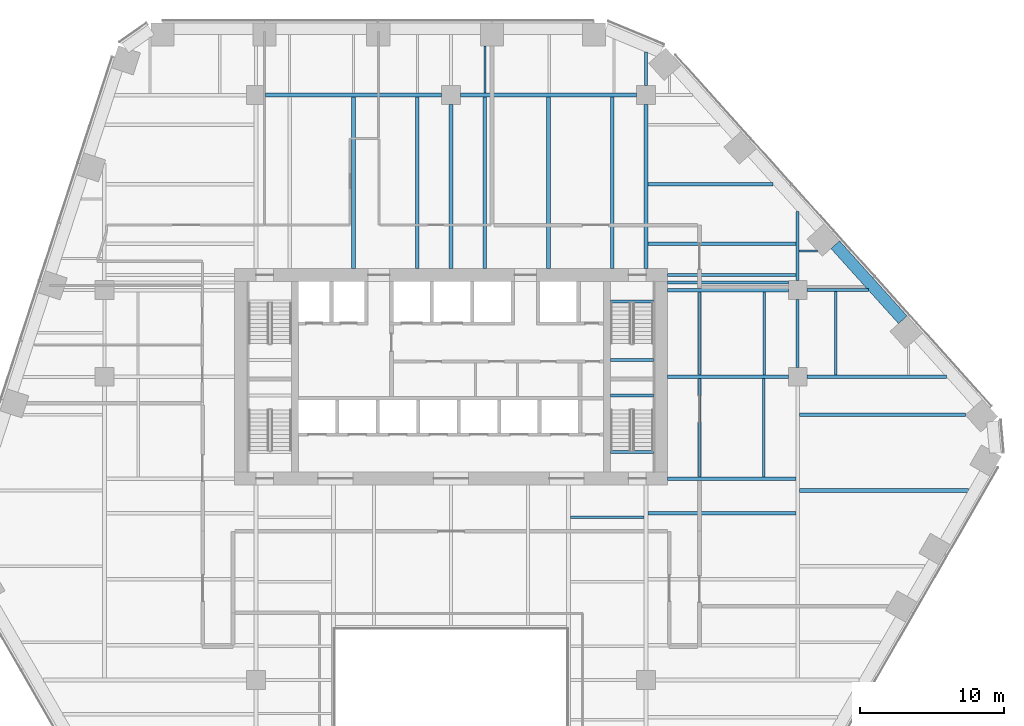
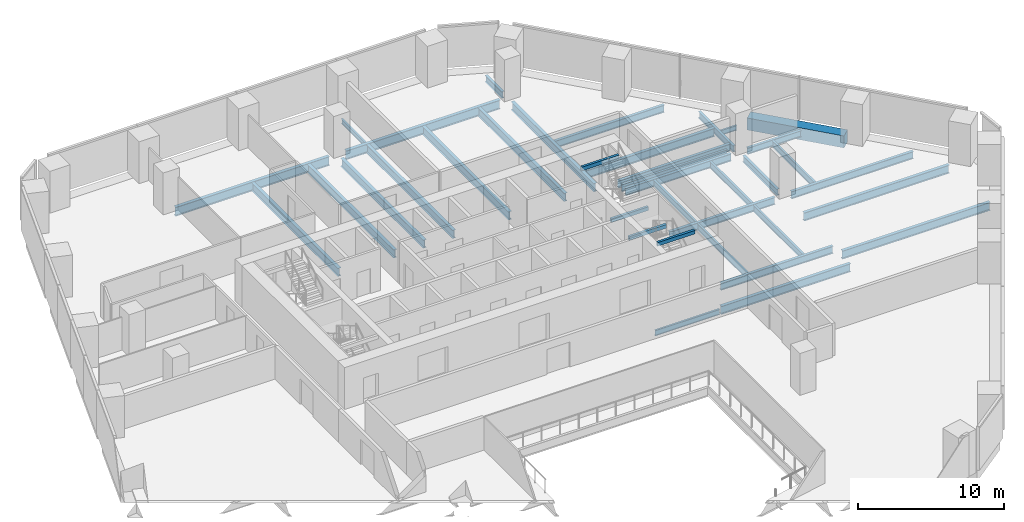
# One storey, part 9 of 19: 37 beams.
"""IFC4 building model written with IfcOpenShell, lengths in metres."""

from ifc_helpers import new_model, si_unit, direction, frame, origin, origin_2d, place, context, subcontext, project, spatial, rectangle, i_section, extrude, material, material_profile, profile_set, type_object, element, save


model = new_model("IFC4")

# Units and contexts
model_context = context("Model", 3, precision=1e-05, world=origin(), true_north=direction((0.0, 1.0)))
body_context = subcontext(model_context, "Body", "Model", "MODEL_VIEW")
ifc_project = project(units=[si_unit("LENGTHUNIT", "METRE"), si_unit("AREAUNIT", "SQUARE_METRE"), si_unit("VOLUMEUNIT", "CUBIC_METRE"), si_unit("PLANEANGLEUNIT", "RADIAN"), si_unit("MASSUNIT", "GRAM", prefix="KILO")], contexts=[model_context])

# Site, building, storey
site_placement = place(None, origin())
site = spatial("IfcSite", under=ifc_project, at=site_placement, CompositionType="ELEMENT")
building_placement = place(site_placement, origin())
building = spatial("IfcBuilding", under=site, at=building_placement, Name="Isthmus Gate Tower", CompositionType="ELEMENT")
storey_placement = place(building_placement, frame((0.0, 0.0, 91.60009765625)))
storey = spatial("IfcBuildingStorey", under=building, at=storey_placement, Name="L21", CompositionType="ELEMENT", Elevation=91.60009765625)

# Beams
ifc_material_1 = material(Name="Concrete f'c 70 MPa", Category="concrete")
ifc_material_profile_1 = material_profile(ifc_material_1, rectangle(XDim=0.800048828125, YDim=1.0, at=origin_2d()), Name="RC 800X1000")
ifc_profile_set_1 = profile_set([ifc_material_profile_1], Name="Concrete f'c 70 MPa")
beam_type_1 = type_object("IfcBeamType", Name="RC SPANDREL 800 X 1000", PredefinedType="SPANDREL", material=ifc_profile_set_1)
beam_1_placement = place(storey_placement, frame((26.597900390625, 16.640380859375, -0.5), z_axis=(0.669128753615, -0.743146493691, 0.0), x_axis=(0.743146493691, 0.669128753615, 0.0)))
element("IfcBeam", 1, at=beam_1_placement, inside=storey, type_object=beam_type_1, Name="str-spandrel-L21-03", PredefinedType="SPANDREL", context=body_context, shape_type="SweptSolid", body=[
    extrude(rectangle(XDim=0.800048828125, YDim=1.0, at=origin_2d()), origin(), (0.0, 0.0, 1.0), 6.9892578125),
])
ifc_material_2 = material(Name="Concrete f'c 40 MPa", Category="concrete")
ifc_material_profile_2 = material_profile(ifc_material_2, rectangle(XDim=0.199951171875, YDim=0.300048828125, at=origin_2d()), Name="STAIR LANDING BEAM RC 200 X 300")
ifc_profile_set_2 = profile_set([ifc_material_profile_2], Name="Concrete f'c 40 MPa")
beam_type_2 = type_object("IfcBeamType", Name="STAIR LANDING BEAM RC 200 X 300", PredefinedType="BEAM", material=ifc_profile_set_2)
for number, where, z_axis, x_axis, name in (
    (2, (11.050048828125, 8.64990234375, 1.474853515625), (1.0, 0.0, 0.0), (0.0, 1.0, 0.0), "L21 ST2 landing beam 1"),
    (3, (11.050048828125, 12.7001953125, 3.349853515625), (1.0, 0.0, 0.0), (0.0, 1.0, 0.0), "L21 ST2 floor-edge seat beam"),
    (4, (11.050048828125, 6.199951171875, 1.474853515625), (1.0, 0.0, 0.0), (0.0, 1.0, 0.0), "L21 ST8 landing beam 1"),
    (5, (11.050048828125, 2.2998046875, 3.349853515625), (1.0, 0.0, 0.0), (0.0, 1.0, 0.0), "L21 ST8 floor-edge seat beam"),
):
    element("IfcBeam", number, at=place(storey_placement, frame(where, z_axis=z_axis, x_axis=x_axis)), inside=storey, type_object=beam_type_2, Name=name, PredefinedType="BEAM", context=body_context, shape_type="SweptSolid", body=[
        extrude(rectangle(XDim=0.199951171875, YDim=0.300048828125, at=origin_2d()), origin(), (0.0, 0.0, 1.0), 2.949951171875),
    ])
ifc_material_3 = material(Name="Structural steel ASTM A992 Gr 50", Category="steel")
ifc_material_profile_3 = material_profile(ifc_material_3, i_section(OverallWidth=0.1396484375, OverallDepth=0.4033203125, WebThickness=0.00634765625, FlangeThickness=0.010986328125, at=origin_2d()), Name="W16X31")
ifc_profile_set_3 = profile_set([ifc_material_profile_3], Name="Structural steel ASTM A992 Gr 50")
beam_type_3 = type_object("IfcBeamType", Name="STEEL FLOOR BEAM W16X31", PredefinedType="JOIST", material=ifc_profile_set_3)
beam_2_placement = place(storey_placement, frame((2.33740234375, 27.1318359375, -0.351806640625), z_axis=(0.0, 1.0, 0.0), x_axis=(-1.0, 0.0, 0.0)))
element("IfcBeam", 6, at=beam_2_placement, inside=storey, type_object=beam_type_3, Name="str-beam-L21-20-00", PredefinedType="JOIST", context=body_context, shape_type="SweptSolid", body=[
    extrude(i_section(OverallWidth=0.1396484375, OverallDepth=0.4033203125, WebThickness=0.00634765625, FlangeThickness=0.010986328125, at=origin_2d()), origin(), (0.0, 0.0, 1.0), 3.26806640625),
])
beam_3_placement = place(storey_placement, frame((24.104736328125, 16.208251953125, -0.351806640625), z_axis=(1.0, 0.0, 0.0), x_axis=(0.0, 1.0, 0.0)))
element("IfcBeam", 7, at=beam_3_placement, inside=storey, type_object=beam_type_3, Name="str-beam-L21-32-00", PredefinedType="JOIST", context=body_context, shape_type="SweptSolid", body=[
    extrude(i_section(OverallWidth=0.1396484375, OverallDepth=0.4033203125, WebThickness=0.00634765625, FlangeThickness=0.010986328125, at=origin_2d()), origin(), (0.0, 0.0, 1.0), 1.267578125),
])
ifc_material_4 = material(Name="Structural steel ASTM A992 Gr 50", Category="steel")
ifc_material_profile_4 = material_profile(ifc_material_4, i_section(OverallWidth=0.15234375, OverallDepth=0.45068359375, WebThickness=0.0078125, FlangeThickness=0.010986328125, at=origin_2d()), Name="W18X35")
ifc_profile_set_4 = profile_set([ifc_material_profile_4], Name="Structural steel ASTM A992 Gr 50")
beam_type_4 = type_object("IfcBeamType", Name="STEEL FLOOR BEAM W18X35", PredefinedType="JOIST", material=ifc_profile_set_4)
beam_4_placement = place(storey_placement, frame((8.263427734375, -2.232421875, -0.37548828125), z_axis=(1.0, 0.0, 0.0), x_axis=(0.0, 1.0, 0.0)))
element("IfcBeam", 8, at=beam_4_placement, inside=storey, type_object=beam_type_4, Name="str-beam-L21-24-02", PredefinedType="JOIST", context=body_context, shape_type="SweptSolid", body=[
    extrude(i_section(OverallWidth=0.15234375, OverallDepth=0.45068359375, WebThickness=0.0078125, FlangeThickness=0.010986328125, at=origin_2d()), origin(), (0.0, 0.0, 1.0), 5.104736328125),
])
ifc_material_5 = material(Name="Structural steel ASTM A992 Gr 50", Category="steel")
ifc_material_profile_5 = material_profile(ifc_material_5, i_section(OverallWidth=0.1650390625, OverallDepth=0.52392578125, WebThickness=0.009521484375, FlangeThickness=0.010986328125, at=origin_2d()), Name="W21X44")
ifc_profile_set_5 = profile_set([ifc_material_profile_5], Name="Structural steel ASTM A992 Gr 50")
beam_type_5 = type_object("IfcBeamType", Name="STEEL FLOOR BEAM W21X44", PredefinedType="JOIST", material=ifc_profile_set_5)
for number, where, z_axis, x_axis, name in (
    (9, (17.223876953125, 7.6142578125, -0.412109375), (0.0, 1.0, 0.0), (-1.0, 0.0, 0.0), "str-beam-L21-30-00"),
    (10, (21.67138671875, 7.6142578125, -0.412109375), (0.0, 1.0, 0.0), (-1.0, 0.0, 0.0), "str-beam-L21-30-01"),
):
    element("IfcBeam", number, at=place(storey_placement, frame(where, z_axis=z_axis, x_axis=x_axis)), inside=storey, type_object=beam_type_5, Name=name, PredefinedType="JOIST", context=body_context, shape_type="SweptSolid", body=[
        extrude(i_section(OverallWidth=0.1650390625, OverallDepth=0.52392578125, WebThickness=0.009521484375, FlangeThickness=0.010986328125, at=origin_2d()), origin(), (0.0, 0.0, 1.0), 5.771484375),
    ])
for number, where, z_axis, x_axis, name in (
    (11, (17.216552734375, 0.564208984375, -0.412109375), (0.0, 1.0, 0.0), (-1.0, 0.0, 0.0), "str-beam-L21-31-00"),
    (12, (21.64990234375, 0.564208984375, -0.412109375), (0.0, 1.0, 0.0), (-1.0, 0.0, 0.0), "str-beam-L21-31-01"),
):
    element("IfcBeam", number, at=place(storey_placement, frame(where, z_axis=z_axis, x_axis=x_axis)), inside=storey, type_object=beam_type_5, Name=name, PredefinedType="JOIST", context=body_context, shape_type="SweptSolid", body=[
        extrude(i_section(OverallWidth=0.1650390625, OverallDepth=0.52392578125, WebThickness=0.009521484375, FlangeThickness=0.010986328125, at=origin_2d()), origin(), (0.0, 0.0, 1.0), 6.821533203125),
    ])
beam_5_placement = place(storey_placement, frame((26.625244140625, 7.6142578125, -0.412109375), z_axis=(0.0, 1.0, 0.0), x_axis=(-1.0, 0.0, 0.0)))
element("IfcBeam", 13, at=beam_5_placement, inside=storey, type_object=beam_type_5, Name="str-beam-L21-33-00", PredefinedType="JOIST", context=body_context, shape_type="SweptSolid", body=[
    extrude(i_section(OverallWidth=0.1650390625, OverallDepth=0.52392578125, WebThickness=0.009521484375, FlangeThickness=0.010986328125, at=origin_2d()), origin(), (0.0, 0.0, 1.0), 5.781005859375),
])
ifc_material_6 = material(Name="Structural steel ASTM A992 Gr 50", Category="steel")
ifc_material_profile_6 = material_profile(ifc_material_6, i_section(OverallWidth=0.177734375, OverallDepth=0.60009765625, WebThickness=0.009521484375, FlangeThickness=0.0126953125, at=origin_2d()), Name="W24X55")
ifc_profile_set_6 = profile_set([ifc_material_profile_6], Name="Structural steel ASTM A992 Gr 50")
beam_type_6 = type_object("IfcBeamType", Name="STEEL FLOOR BEAM W24X55", PredefinedType="JOIST", material=ifc_profile_set_6)
beam_6_placement = place(storey_placement, frame((15.0, 14.02490234375, -0.4501953125), z_axis=(1.0, 0.0, 0.0), x_axis=(0.0, 1.0, 0.0)))
element("IfcBeam", 14, at=beam_6_placement, inside=storey, type_object=beam_type_6, Name="str-beam-L21-29-00", PredefinedType="JOIST", context=body_context, shape_type="SweptSolid", body=[
    extrude(i_section(OverallWidth=0.177734375, OverallDepth=0.60009765625, WebThickness=0.009521484375, FlangeThickness=0.0126953125, at=origin_2d()), origin(), (0.0, 0.0, 1.0), 8.35009765625),
])
ifc_material_7 = material(Name="Structural steel ASTM A992 Gr 50", Category="steel")
ifc_material_profile_7 = material_profile(ifc_material_7, i_section(OverallWidth=0.228515625, OverallDepth=0.603271484375, WebThickness=0.010986328125, FlangeThickness=0.014404296875, at=origin_2d()), Name="W24X68")
ifc_profile_set_7 = profile_set([ifc_material_profile_7], Name="Structural steel ASTM A992 Gr 50")
beam_type_7 = type_object("IfcBeamType", Name="STEEL FLOOR BEAM W24X68", PredefinedType="JOIST", material=ifc_profile_set_7)
beam_7_placement = place(storey_placement, frame((13.626953125, 20.83203125, -0.45166015625), z_axis=(1.0, 0.0, 0.0), x_axis=(0.0, 1.0, 0.0)))
element("IfcBeam", 15, at=beam_7_placement, inside=storey, type_object=beam_type_7, Name="str-beam-L21-26-01", PredefinedType="JOIST", context=body_context, shape_type="SweptSolid", body=[
    extrude(i_section(OverallWidth=0.228515625, OverallDepth=0.603271484375, WebThickness=0.010986328125, FlangeThickness=0.014404296875, at=origin_2d()), origin(), (0.0, 0.0, 1.0), 8.658447265625),
])
ifc_material_8 = material(Name="Structural steel ASTM A992 Gr 50", Category="steel")
ifc_material_profile_8 = material_profile(ifc_material_8, i_section(OverallWidth=0.25390625, OverallDepth=0.679443359375, WebThickness=0.010986328125, FlangeThickness=0.015869140625, at=origin_2d()), Name="W27X84")
ifc_profile_set_8 = profile_set([ifc_material_profile_8], Name="Structural steel ASTM A992 Gr 50")
beam_type_8 = type_object("IfcBeamType", Name="STEEL FLOOR BEAM W27X84", PredefinedType="JOIST", material=ifc_profile_set_8)
for number, where, z_axis, x_axis, name in (
    (16, (-6.75, 15.0, -0.48974609375), (0.0, 1.0, 0.0), (-1.0, 0.0, 0.0), "str-beam-L21-14-01"),
    (17, (-2.334716796875, 15.0, -0.48974609375), (0.0, 1.0, 0.0), (-1.0, 0.0, 0.0), "str-beam-L21-14-02"),
    (18, (2.334716796875, 15.0, -0.48974609375), (0.0, 1.0, 0.0), (-1.0, 0.0, 0.0), "str-beam-L21-21-00"),
    (19, (6.75, 15.0, -0.48974609375), (0.0, 1.0, 0.0), (-1.0, 0.0, 0.0), "str-beam-L21-21-01"),
    (20, (11.165283203125, 15.0, -0.48974609375), (0.0, 1.0, 0.0), (-1.0, 0.0, 0.0), "str-beam-L21-21-02"),
):
    element("IfcBeam", number, at=place(storey_placement, frame(where, z_axis=z_axis, x_axis=x_axis)), inside=storey, type_object=beam_type_8, Name=name, PredefinedType="JOIST", context=body_context, shape_type="SweptSolid", body=[
        extrude(i_section(OverallWidth=0.25390625, OverallDepth=0.679443359375, WebThickness=0.010986328125, FlangeThickness=0.015869140625, at=origin_2d()), origin(), (0.0, 0.0, 1.0), 11.8681640625),
    ])
beam_8_placement = place(storey_placement, frame((13.626953125, 16.72021484375, -0.48974609375), z_axis=(1.0, 0.0, 0.0), x_axis=(0.0, 1.0, 0.0)))
element("IfcBeam", 21, at=beam_8_placement, inside=storey, type_object=beam_type_8, Name="str-beam-L21-26-00", PredefinedType="JOIST", context=body_context, shape_type="SweptSolid", body=[
    extrude(i_section(OverallWidth=0.25390625, OverallDepth=0.679443359375, WebThickness=0.010986328125, FlangeThickness=0.015869140625, at=origin_2d()), origin(), (0.0, 0.0, 1.0), 10.268310546875),
])
beam_9_placement = place(storey_placement, frame((13.6318359375, -1.947998046875, -0.48974609375), z_axis=(1.0, 0.0, 0.0), x_axis=(0.0, 1.0, 0.0)))
element("IfcBeam", 22, at=beam_9_placement, inside=storey, type_object=beam_type_8, Name="str-beam-L21-27-02", PredefinedType="JOIST", context=body_context, shape_type="SweptSolid", body=[
    extrude(i_section(OverallWidth=0.25390625, OverallDepth=0.679443359375, WebThickness=0.010986328125, FlangeThickness=0.015869140625, at=origin_2d()), origin(), (0.0, 0.0, 1.0), 10.23486328125),
])
beam_10_placement = place(storey_placement, frame((24.13330078125, -0.375, -0.48974609375), z_axis=(1.0, 0.0, 0.0), x_axis=(0.0, 1.0, 0.0)))
element("IfcBeam", 23, at=beam_10_placement, inside=storey, type_object=beam_type_8, Name="str-beam-L21-34-02", PredefinedType="JOIST", context=body_context, shape_type="SweptSolid", body=[
    extrude(i_section(OverallWidth=0.25390625, OverallDepth=0.679443359375, WebThickness=0.010986328125, FlangeThickness=0.015869140625, at=origin_2d()), origin(), (0.0, 0.0, 1.0), 11.6767578125),
])
beam_11_placement = place(storey_placement, frame((24.13330078125, 4.875, -0.48974609375), z_axis=(1.0, 0.0, 0.0), x_axis=(0.0, 1.0, 0.0)))
element("IfcBeam", 24, at=beam_11_placement, inside=storey, type_object=beam_type_8, Name="str-beam-L21-34-03", PredefinedType="JOIST", context=body_context, shape_type="SweptSolid", body=[
    extrude(i_section(OverallWidth=0.25390625, OverallDepth=0.679443359375, WebThickness=0.010986328125, FlangeThickness=0.015869140625, at=origin_2d()), origin(), (0.0, 0.0, 1.0), 11.484130859375),
])
ifc_material_9 = material(Name="Structural steel ASTM A992 Gr 50", Category="steel")
ifc_material_profile_9 = material_profile(ifc_material_9, i_section(OverallWidth=0.20947265625, OverallDepth=0.533447265625, WebThickness=0.009521484375, FlangeThickness=0.015869140625, at=origin_2d()), Name="W21X62")
ifc_profile_set_9 = profile_set([ifc_material_profile_9], Name="Structural steel ASTM A992 Gr 50")
beam_type_9 = type_object("IfcBeamType", Name="STEEL GIRDER W21X62", PredefinedType="BEAM", material=ifc_profile_set_9)
beam_12_placement = place(storey_placement, frame((24.64990234375, 13.5, -0.416748046875), z_axis=(1.0, 0.0, 0.0), x_axis=(0.0, 1.0, 0.0)))
element("IfcBeam", 25, at=beam_12_placement, inside=storey, type_object=beam_type_9, Name="str-girder-L21-16", PredefinedType="BEAM", context=body_context, shape_type="SweptSolid", body=[
    extrude(i_section(OverallWidth=0.20947265625, OverallDepth=0.533447265625, WebThickness=0.009521484375, FlangeThickness=0.015869140625, at=origin_2d()), origin(), (0.0, 0.0, 1.0), 4.2373046875),
])
beam_13_placement = place(storey_placement, frame((13.5, 27.64990234375, -0.416748046875), z_axis=(0.0, 1.0, 0.0), x_axis=(-1.0, 0.0, 0.0)))
element("IfcBeam", 26, at=beam_13_placement, inside=storey, type_object=beam_type_9, Name="str-girder-L21-35", PredefinedType="BEAM", context=body_context, shape_type="SweptSolid", body=[
    extrude(i_section(OverallWidth=0.20947265625, OverallDepth=0.533447265625, WebThickness=0.009521484375, FlangeThickness=0.015869140625, at=origin_2d()), origin(), (0.0, 0.0, 1.0), 2.320068359375),
])
beam_14_placement = place(storey_placement, frame((24.0, 8.14990234375, -0.416748046875), z_axis=(0.0, 1.0, 0.0), x_axis=(-1.0, 0.0, 0.0)))
element("IfcBeam", 27, at=beam_14_placement, inside=storey, type_object=beam_type_9, Name="str-girder-L21-37", PredefinedType="BEAM", context=body_context, shape_type="SweptSolid", body=[
    extrude(i_section(OverallWidth=0.20947265625, OverallDepth=0.533447265625, WebThickness=0.009521484375, FlangeThickness=0.015869140625, at=origin_2d()), origin(), (0.0, 0.0, 1.0), 4.7001953125),
])
beam_15_placement = place(storey_placement, frame((24.0, 14.14990234375, -0.416748046875), z_axis=(0.0, 1.0, 0.0), x_axis=(-1.0, 0.0, 0.0)))
element("IfcBeam", 28, at=beam_15_placement, inside=storey, type_object=beam_type_9, Name="str-girder-L21-38", PredefinedType="BEAM", context=body_context, shape_type="SweptSolid", body=[
    extrude(i_section(OverallWidth=0.20947265625, OverallDepth=0.533447265625, WebThickness=0.009521484375, FlangeThickness=0.015869140625, at=origin_2d()), origin(), (0.0, 0.0, 1.0), 4.778076171875),
])
ifc_material_10 = material(Name="Structural steel ASTM A992 Gr 50", Category="steel")
ifc_material_profile_10 = material_profile(ifc_material_10, i_section(OverallWidth=0.228515625, OverallDepth=0.6064453125, WebThickness=0.010986328125, FlangeThickness=0.017578125, at=origin_2d()), Name="W24X76")
ifc_profile_set_10 = profile_set([ifc_material_profile_10], Name="Structural steel ASTM A992 Gr 50")
beam_type_10 = type_object("IfcBeamType", Name="STEEL GIRDER W24X76", PredefinedType="BEAM", material=ifc_profile_set_10)
beam_16_placement = place(storey_placement, frame((15.0, 7.5, -0.453369140625), z_axis=(1.0, 0.0, 0.0), x_axis=(0.0, 1.0, 0.0)))
element("IfcBeam", 29, at=beam_16_placement, inside=storey, type_object=beam_type_10, Name="str-girder-L21-11", PredefinedType="BEAM", context=body_context, shape_type="SweptSolid", body=[
    extrude(i_section(OverallWidth=0.228515625, OverallDepth=0.6064453125, WebThickness=0.010986328125, FlangeThickness=0.017578125, at=origin_2d()), origin(), (0.0, 0.0, 1.0), 8.35009765625),
])
beam_17_placement = place(storey_placement, frame((24.64990234375, 7.5, -0.453369140625), z_axis=(1.0, 0.0, 0.0), x_axis=(0.0, 1.0, 0.0)))
element("IfcBeam", 30, at=beam_17_placement, inside=storey, type_object=beam_type_10, Name="str-girder-L21-12", PredefinedType="BEAM", context=body_context, shape_type="SweptSolid", body=[
    extrude(i_section(OverallWidth=0.228515625, OverallDepth=0.6064453125, WebThickness=0.010986328125, FlangeThickness=0.017578125, at=origin_2d()), origin(), (0.0, 0.0, 1.0), 9.639892578125),
])
beam_18_placement = place(storey_placement, frame((15.0, 13.5, -0.453369140625), z_axis=(1.0, 0.0, 0.0), x_axis=(0.0, 1.0, 0.0)))
element("IfcBeam", 31, at=beam_18_placement, inside=storey, type_object=beam_type_10, Name="str-girder-L21-15", PredefinedType="BEAM", context=body_context, shape_type="SweptSolid", body=[
    extrude(i_section(OverallWidth=0.228515625, OverallDepth=0.6064453125, WebThickness=0.010986328125, FlangeThickness=0.017578125, at=origin_2d()), origin(), (0.0, 0.0, 1.0), 8.35009765625),
])
beam_19_placement = place(storey_placement, frame((15.0, 0.449951171875, -0.453369140625), z_axis=(1.0, 0.0, 0.0), x_axis=(0.0, 1.0, 0.0)))
element("IfcBeam", 32, at=beam_19_placement, inside=storey, type_object=beam_type_10, Name="str-girder-L21-40", PredefinedType="BEAM", context=body_context, shape_type="SweptSolid", body=[
    extrude(i_section(OverallWidth=0.228515625, OverallDepth=0.6064453125, WebThickness=0.010986328125, FlangeThickness=0.017578125, at=origin_2d()), origin(), (0.0, 0.0, 1.0), 8.86669921875),
])
beam_20_placement = place(storey_placement, frame((15.0, 14.550048828125, -0.453369140625), z_axis=(1.0, 0.0, 0.0), x_axis=(0.0, 1.0, 0.0)))
element("IfcBeam", 33, at=beam_20_placement, inside=storey, type_object=beam_type_10, Name="str-girder-L21-42", PredefinedType="BEAM", context=body_context, shape_type="SweptSolid", body=[
    extrude(i_section(OverallWidth=0.228515625, OverallDepth=0.6064453125, WebThickness=0.010986328125, FlangeThickness=0.017578125, at=origin_2d()), origin(), (0.0, 0.0, 1.0), 8.895263671875),
])
ifc_material_11 = material(Name="Structural steel ASTM A992 Gr 50", Category="steel")
ifc_material_profile_11 = material_profile(ifc_material_11, i_section(OverallWidth=0.25390625, OverallDepth=0.679443359375, WebThickness=0.010986328125, FlangeThickness=0.015869140625, at=origin_2d()), Name="W27X84")
ifc_profile_set_11 = profile_set([ifc_material_profile_11], Name="Structural steel ASTM A992 Gr 50")
beam_type_11 = type_object("IfcBeamType", Name="STEEL GIRDER W27X84", PredefinedType="BEAM", material=ifc_profile_set_11)
for number, where, z_axis, x_axis, name in (
    (34, (0.0, 15.0, -0.48974609375), (0.0, 1.0, 0.0), (-1.0, 0.0, 0.0), "str-girder-L21-30"),
    (35, (13.5, 15.0, -0.48974609375), (0.0, 1.0, 0.0), (-1.0, 0.0, 0.0), "str-girder-L21-34"),
):
    element("IfcBeam", number, at=place(storey_placement, frame(where, z_axis=z_axis, x_axis=x_axis)), inside=storey, type_object=beam_type_11, Name=name, PredefinedType="BEAM", context=body_context, shape_type="SweptSolid", body=[
        extrude(i_section(OverallWidth=0.25390625, OverallDepth=0.679443359375, WebThickness=0.010986328125, FlangeThickness=0.015869140625, at=origin_2d()), origin(), (0.0, 0.0, 1.0), 11.35009765625),
    ])
ifc_material_12 = material(Name="Structural steel ASTM A992 Gr 50", Category="steel")
ifc_material_profile_12 = material_profile(ifc_material_12, i_section(OverallWidth=0.263427734375, OverallDepth=0.749267578125, WebThickness=0.0126953125, FlangeThickness=0.015869140625, at=origin_2d()), Name="W30X90")
ifc_profile_set_12 = profile_set([ifc_material_profile_12], Name="Structural steel ASTM A992 Gr 50")
beam_type_12 = type_object("IfcBeamType", Name="STEEL GIRDER W30X90", PredefinedType="BEAM", material=ifc_profile_set_12)
for number, where, z_axis, x_axis, name in (
    (36, (-12.85009765625, 27.0, -0.524658203125), (1.0, 0.0, 0.0), (0.0, 1.0, 0.0), "str-girder-L21-18"),
    (37, (0.64990234375, 27.0, -0.524658203125), (1.0, 0.0, 0.0), (0.0, 1.0, 0.0), "str-girder-L21-19"),
):
    element("IfcBeam", number, at=place(storey_placement, frame(where, z_axis=z_axis, x_axis=x_axis)), inside=storey, type_object=beam_type_12, Name=name, PredefinedType="BEAM", context=body_context, shape_type="SweptSolid", body=[
        extrude(i_section(OverallWidth=0.263427734375, OverallDepth=0.749267578125, WebThickness=0.0126953125, FlangeThickness=0.015869140625, at=origin_2d()), origin(), (0.0, 0.0, 1.0), 12.2001953125),
    ])

save(model, "model.ifc")
